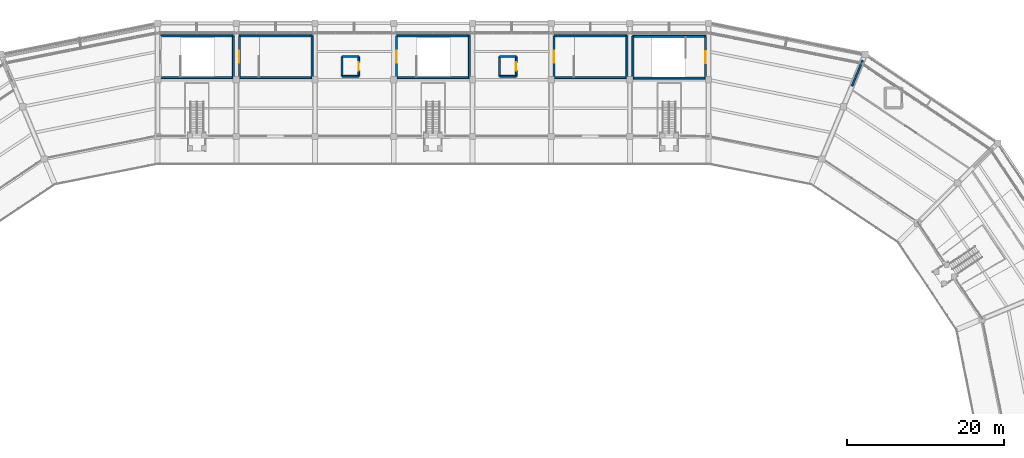
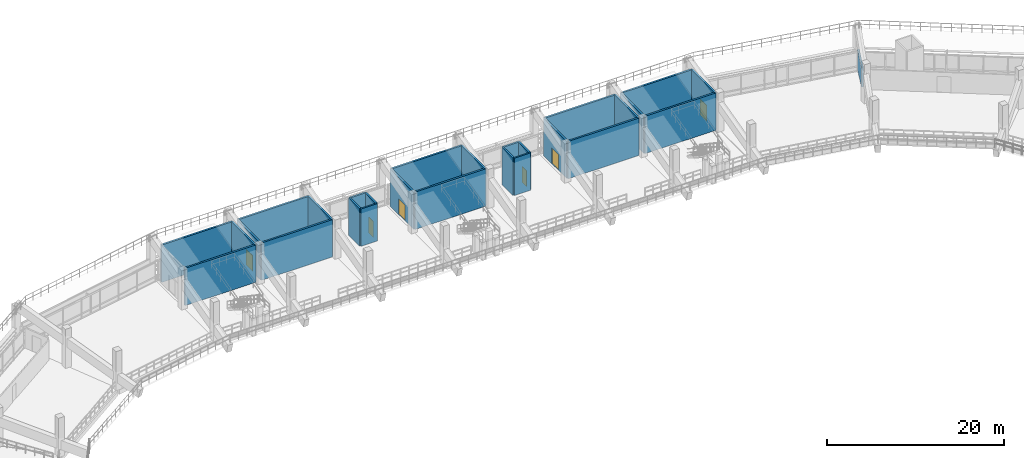
# One storey, part 67 of 96: 28 walls, 6 doors, 6 openings.
"""IFC4 building model written with IfcOpenShell, lengths in metres."""

from ifc_helpers import new_model, si_unit, direction, frame, frame_2d, origin, place, context, subcontext, project, spatial, rectangle, extrude, material, layer, layer_set, type_object, element, fill, save


model = new_model("IFC4")

# Units and contexts
model_context = context("Model", 3, precision=1e-05, world=origin(), true_north=direction((0.0, 1.0)))
body_context = subcontext(model_context, "Body", "Model", "MODEL_VIEW")
ifc_project = project(units=[si_unit("LENGTHUNIT", "METRE"), si_unit("AREAUNIT", "SQUARE_METRE"), si_unit("VOLUMEUNIT", "CUBIC_METRE"), si_unit("PLANEANGLEUNIT", "RADIAN"), si_unit("MASSUNIT", "GRAM", prefix="KILO")], contexts=[model_context])

# Site, building, storey
site_placement = place(None, origin())
site = spatial("IfcSite", under=ifc_project, at=site_placement, CompositionType="ELEMENT")
building_placement = place(site_placement, origin())
building = spatial("IfcBuilding", under=site, at=building_placement, Name="Candeia Ridge Stadium", CompositionType="ELEMENT")
storey_placement = place(building_placement, frame((0.0, 0.0, 21.60009765625)))
storey = spatial("IfcBuildingStorey", under=building, at=storey_placement, Name="L04", CompositionType="ELEMENT", Elevation=21.60009765625)

# Walls
ifc_material_1 = material(Name="Concrete C40/50", Category="concrete")
ifc_layer_1 = layer(ifc_material_1, 0.25, Name="Concrete C40/50", Category="concrete")
ifc_layer_set_1 = layer_set([ifc_layer_1], Name="Concrete C40/50")
wall_type_1 = type_object("IfcWallType", Name="Core Shear Wall Concrete 250", PredefinedType="SHEAR", material=ifc_layer_set_1)
wall_1_placement = place(storey_placement, frame((71.37548828125, 140.075439453125, 0.0), z_axis=(0.0, 0.0, 1.0), x_axis=(1.0, 0.0, 0.0)))
element("IfcWall", 1, at=wall_1_placement, inside=storey, type_object=wall_type_1, Name="Core C01 left shear wall L04", PredefinedType="SHEAR", context=body_context, shape_type="SweptSolid", body=[
    extrude(rectangle(XDim=9.2490234375, YDim=0.25, at=frame_2d((4.62451171875, 0.0))), origin(), (0.0, 0.0, 1.0), 5.14990234375),
])
wall_2_placement = place(storey_placement, frame((80.62451171875, 140.075439453125, 0.0), z_axis=(0.0, 0.0, 1.0), x_axis=(0.0, 1.0, 0.0)))
element("IfcWall", 2, at=wall_2_placement, inside=storey, type_object=wall_type_1, Name="Core C01 far shear wall L04", PredefinedType="SHEAR", context=body_context, shape_type="SweptSolid", body=[
    extrude(rectangle(XDim=5.299072265625, YDim=0.25, at=frame_2d((2.6494140625, 0.0))), origin(), (0.0, 0.0, 1.0), 5.14990234375),
])
for number, where, z_axis, x_axis, name in (
    (3, (80.62451171875, 145.37451171875, 0.0), (0.0, 0.0, 1.0), (-1.0, 0.0, 0.0), "Core C01 right shear wall L04"),
    (4, (140.62451171875, 145.32470703125, 0.0), (0.0, 0.0, 1.0), (-1.0, 0.0, 0.0), "Core C04 left shear wall L04"),
):
    element("IfcWall", number, at=place(storey_placement, frame(where, z_axis=z_axis, x_axis=x_axis)), inside=storey, type_object=wall_type_1, Name=name, PredefinedType="SHEAR", context=body_context, shape_type="SweptSolid", body=[
        extrude(rectangle(XDim=9.2490234375, YDim=0.25, at=frame_2d((4.62451171875, 0.0))), origin(), (0.0, 0.0, 1.0), 5.14990234375),
    ])
wall_3_placement = place(storey_placement, frame((131.37548828125, 145.32470703125, 0.0), z_axis=(0.0, 0.0, 1.0), x_axis=(0.0, -1.0, 0.0)))
element("IfcWall", 5, at=wall_3_placement, inside=storey, type_object=wall_type_1, Name="Core C04 far shear wall L04", PredefinedType="SHEAR", context=body_context, shape_type="SweptSolid", body=[
    extrude(rectangle(XDim=5.29931640625, YDim=0.25, at=frame_2d((2.649658203125, 0.0))), origin(), (0.0, 0.0, 1.0), 5.14990234375),
])
wall_4_placement = place(storey_placement, frame((131.37548828125, 140.025390625, 0.0), z_axis=(0.0, 0.0, 1.0), x_axis=(1.0, 0.0, 0.0)))
element("IfcWall", 6, at=wall_4_placement, inside=storey, type_object=wall_type_1, Name="Core C04 right shear wall L04", PredefinedType="SHEAR", context=body_context, shape_type="SweptSolid", body=[
    extrude(rectangle(XDim=9.2490234375, YDim=0.25, at=frame_2d((4.62451171875, 0.0))), origin(), (0.0, 0.0, 1.0), 5.14990234375),
])

# Wall, opening, door
wall_5_placement = place(storey_placement, frame((140.62451171875, 140.025390625, 0.0), z_axis=(0.0, 0.0, 1.0), x_axis=(0.0, 1.0, 0.0)))
wall_5 = element("IfcWall", 7, at=wall_5_placement, inside=storey, type_object=wall_type_1, Name="Core C04 near shear wall L04", PredefinedType="SHEAR", context=body_context, shape_type="SweptSolid", body=[
    extrude(rectangle(XDim=5.29931640625, YDim=0.25, at=frame_2d((2.649658203125, 0.0))), origin(), (0.0, 0.0, 1.0), 5.14990234375),
])
opening_1_placement = place(wall_5_placement, frame((1.899658203125, 0.0, 0.0)))
opening_1 = element("IfcOpeningElement", 8, at=opening_1_placement, cuts=wall_5, Name="Opening FD01", PredefinedType="OPENING", context=body_context, shape_type="SweptSolid", body=[
    extrude(rectangle(XDim=1.5, YDim=2.199951171875, at=frame_2d((0.75, 1.10009765625))), frame((0.0, 0.135009765625, 0.0), z_axis=(0.0, -1.0, 0.0), x_axis=(1.0, 0.0, 0.0)), (0.0, 0.0, 1.0), 0.27001953125),
])
ifc_material_2 = material(Name="Galvanized Fire-Rated Steel", Category="steel")
door_type_1 = type_object("IfcDoorType", Name="Exit Stair Core Fire Door 1500x2200", OperationType="NOTDEFINED", PredefinedType="DOOR", material=ifc_material_2)
door_1_placement = place(opening_1_placement, origin())
door_1 = element("IfcDoor", 9, at=door_1_placement, inside=storey, type_object=door_type_1, Name="Exit stair fire door SD-ST04-L04", OperationType="DOUBLE_DOOR_SINGLE_SWING", OverallHeight=2.199951171875, OverallWidth=1.5, PredefinedType="DOOR", context=body_context, shape_type="SweptSolid", body=[
    extrude(rectangle(XDim=1.5, YDim=2.199951171875, at=frame_2d((0.75, 1.10009765625))), frame((0.0, 0.02490234375, 0.0), z_axis=(0.0, -1.0, 0.0), x_axis=(1.0, 0.0, 0.0)), (0.0, 0.0, 1.0), 0.050048828125),
])
fill(opening_1, door_1)

# Walls
wall_6_placement = place(storey_placement, frame((81.37548828125, 140.075439453125, 0.0), z_axis=(0.0, 0.0, 1.0), x_axis=(1.0, 0.0, 0.0)))
element("IfcWall", 10, at=wall_6_placement, inside=storey, type_object=wall_type_1, Name="Core C09 left shear wall L04", PredefinedType="SHEAR", context=body_context, shape_type="SweptSolid", body=[
    extrude(rectangle(XDim=9.2490234375, YDim=0.25, at=frame_2d((4.62451171875, 0.0))), origin(), (0.0, 0.0, 1.0), 5.14990234375),
])
wall_7_placement = place(storey_placement, frame((90.62451171875, 140.075439453125, 0.0), z_axis=(0.0, 0.0, 1.0), x_axis=(0.0, 1.0, 0.0)))
element("IfcWall", 11, at=wall_7_placement, inside=storey, type_object=wall_type_1, Name="Core C09 far shear wall L04", PredefinedType="SHEAR", context=body_context, shape_type="SweptSolid", body=[
    extrude(rectangle(XDim=5.299072265625, YDim=0.25, at=frame_2d((2.6494140625, 0.0))), origin(), (0.0, 0.0, 1.0), 5.14990234375),
])
wall_8_placement = place(storey_placement, frame((90.62451171875, 145.37451171875, 0.0), z_axis=(0.0, 0.0, 1.0), x_axis=(-1.0, 0.0, 0.0)))
element("IfcWall", 12, at=wall_8_placement, inside=storey, type_object=wall_type_1, Name="Core C09 right shear wall L04", PredefinedType="SHEAR", context=body_context, shape_type="SweptSolid", body=[
    extrude(rectangle(XDim=9.2490234375, YDim=0.25, at=frame_2d((4.62451171875, 0.0))), origin(), (0.0, 0.0, 1.0), 5.14990234375),
])

# Wall, opening, door
wall_9_placement = place(storey_placement, frame((81.37548828125, 145.37451171875, 0.0), z_axis=(0.0, 0.0, 1.0), x_axis=(0.0, -1.0, 0.0)))
wall_9 = element("IfcWall", 13, at=wall_9_placement, inside=storey, type_object=wall_type_1, Name="Core C09 near shear wall L04", PredefinedType="SHEAR", context=body_context, shape_type="SweptSolid", body=[
    extrude(rectangle(XDim=5.299072265625, YDim=0.25, at=frame_2d((2.6494140625, 0.0))), origin(), (0.0, 0.0, 1.0), 5.14990234375),
])
opening_2_placement = place(wall_9_placement, frame((1.899658203125, 0.0, 0.0)))
opening_2 = element("IfcOpeningElement", 14, at=opening_2_placement, cuts=wall_9, Name="Opening FD01", PredefinedType="OPENING", context=body_context, shape_type="SweptSolid", body=[
    extrude(rectangle(XDim=1.5, YDim=2.199951171875, at=frame_2d((0.75, 1.10009765625))), frame((0.0, 0.135009765625, 0.0), z_axis=(0.0, -1.0, 0.0), x_axis=(1.0, 0.0, 0.0)), (0.0, 0.0, 1.0), 0.27001953125),
])
door_2_placement = place(opening_2_placement, origin())
door_2 = element("IfcDoor", 15, at=door_2_placement, inside=storey, type_object=door_type_1, Name="Exit stair fire door SD-ST09-L04", OperationType="DOUBLE_DOOR_SINGLE_SWING", OverallHeight=2.199951171875, OverallWidth=1.5, PredefinedType="DOOR", context=body_context, shape_type="SweptSolid", body=[
    extrude(rectangle(XDim=1.5, YDim=2.199951171875, at=frame_2d((0.75, 1.10009765625))), frame((0.0, 0.02490234375, 0.0), z_axis=(0.0, -1.0, 0.0), x_axis=(1.0, 0.0, 0.0)), (0.0, 0.0, 1.0), 0.050048828125),
])
fill(opening_2, door_2)

# Walls
wall_10_placement = place(storey_placement, frame((121.37548828125, 140.075439453125, 0.0), z_axis=(0.0, 0.0, 1.0), x_axis=(1.0, 0.0, 0.0)))
element("IfcWall", 16, at=wall_10_placement, inside=storey, type_object=wall_type_1, Name="Core C10 left shear wall L04", PredefinedType="SHEAR", context=body_context, shape_type="SweptSolid", body=[
    extrude(rectangle(XDim=9.2490234375, YDim=0.25, at=frame_2d((4.62451171875, 0.0))), origin(), (0.0, 0.0, 1.0), 5.14990234375),
])
wall_11_placement = place(storey_placement, frame((130.62451171875, 140.075439453125, 0.0), z_axis=(0.0, 0.0, 1.0), x_axis=(0.0, 1.0, 0.0)))
element("IfcWall", 17, at=wall_11_placement, inside=storey, type_object=wall_type_1, Name="Core C10 far shear wall L04", PredefinedType="SHEAR", context=body_context, shape_type="SweptSolid", body=[
    extrude(rectangle(XDim=5.299072265625, YDim=0.25, at=frame_2d((2.6494140625, 0.0))), origin(), (0.0, 0.0, 1.0), 5.14990234375),
])
wall_12_placement = place(storey_placement, frame((130.62451171875, 145.37451171875, 0.0), z_axis=(0.0, 0.0, 1.0), x_axis=(-1.0, 0.0, 0.0)))
element("IfcWall", 18, at=wall_12_placement, inside=storey, type_object=wall_type_1, Name="Core C10 right shear wall L04", PredefinedType="SHEAR", context=body_context, shape_type="SweptSolid", body=[
    extrude(rectangle(XDim=9.2490234375, YDim=0.25, at=frame_2d((4.62451171875, 0.0))), origin(), (0.0, 0.0, 1.0), 5.14990234375),
])

# Wall, opening, door
wall_13_placement = place(storey_placement, frame((121.37548828125, 145.37451171875, 0.0), z_axis=(0.0, 0.0, 1.0), x_axis=(0.0, -1.0, 0.0)))
wall_13 = element("IfcWall", 19, at=wall_13_placement, inside=storey, type_object=wall_type_1, Name="Core C10 near shear wall L04", PredefinedType="SHEAR", context=body_context, shape_type="SweptSolid", body=[
    extrude(rectangle(XDim=5.299072265625, YDim=0.25, at=frame_2d((2.6494140625, 0.0))), origin(), (0.0, 0.0, 1.0), 5.14990234375),
])
opening_3_placement = place(wall_13_placement, frame((1.899658203125, 0.0, 0.0)))
opening_3 = element("IfcOpeningElement", 20, at=opening_3_placement, cuts=wall_13, Name="Opening FD01", PredefinedType="OPENING", context=body_context, shape_type="SweptSolid", body=[
    extrude(rectangle(XDim=1.5, YDim=2.199951171875, at=frame_2d((0.75, 1.10009765625))), frame((0.0, 0.135009765625, 0.0), z_axis=(0.0, -1.0, 0.0), x_axis=(1.0, 0.0, 0.0)), (0.0, 0.0, 1.0), 0.27001953125),
])
door_3_placement = place(opening_3_placement, origin())
door_3 = element("IfcDoor", 21, at=door_3_placement, inside=storey, type_object=door_type_1, Name="Exit stair fire door SD-ST10-L04", OperationType="DOUBLE_DOOR_SINGLE_SWING", OverallHeight=2.199951171875, OverallWidth=1.5, PredefinedType="DOOR", context=body_context, shape_type="SweptSolid", body=[
    extrude(rectangle(XDim=1.5, YDim=2.199951171875, at=frame_2d((0.75, 1.10009765625))), frame((0.0, 0.02490234375, 0.0), z_axis=(0.0, -1.0, 0.0), x_axis=(1.0, 0.0, 0.0)), (0.0, 0.0, 1.0), 0.050048828125),
])
fill(opening_3, door_3)

# Walls
wall_14_placement = place(storey_placement, frame((101.37548828125, 140.075439453125, 0.0), z_axis=(0.0, 0.0, 1.0), x_axis=(1.0, 0.0, 0.0)))
element("IfcWall", 22, at=wall_14_placement, inside=storey, type_object=wall_type_1, Name="Core C17 left shear wall L04", PredefinedType="SHEAR", context=body_context, shape_type="SweptSolid", body=[
    extrude(rectangle(XDim=9.2490234375, YDim=0.25, at=frame_2d((4.62451171875, 0.0))), origin(), (0.0, 0.0, 1.0), 5.14990234375),
])
wall_15_placement = place(storey_placement, frame((110.62451171875, 140.075439453125, 0.0), z_axis=(0.0, 0.0, 1.0), x_axis=(0.0, 1.0, 0.0)))
element("IfcWall", 23, at=wall_15_placement, inside=storey, type_object=wall_type_1, Name="Core C17 far shear wall L04", PredefinedType="SHEAR", context=body_context, shape_type="SweptSolid", body=[
    extrude(rectangle(XDim=5.299072265625, YDim=0.25, at=frame_2d((2.6494140625, 0.0))), origin(), (0.0, 0.0, 1.0), 5.14990234375),
])
wall_16_placement = place(storey_placement, frame((110.62451171875, 145.37451171875, 0.0), z_axis=(0.0, 0.0, 1.0), x_axis=(-1.0, 0.0, 0.0)))
element("IfcWall", 24, at=wall_16_placement, inside=storey, type_object=wall_type_1, Name="Core C17 right shear wall L04", PredefinedType="SHEAR", context=body_context, shape_type="SweptSolid", body=[
    extrude(rectangle(XDim=9.2490234375, YDim=0.25, at=frame_2d((4.62451171875, 0.0))), origin(), (0.0, 0.0, 1.0), 5.14990234375),
])

# Wall, opening, door
wall_17_placement = place(storey_placement, frame((101.37548828125, 145.37451171875, 0.0), z_axis=(0.0, 0.0, 1.0), x_axis=(0.0, -1.0, 0.0)))
wall_17 = element("IfcWall", 25, at=wall_17_placement, inside=storey, type_object=wall_type_1, Name="Core C17 near shear wall L04", PredefinedType="SHEAR", context=body_context, shape_type="SweptSolid", body=[
    extrude(rectangle(XDim=5.299072265625, YDim=0.25, at=frame_2d((2.6494140625, 0.0))), origin(), (0.0, 0.0, 1.0), 5.14990234375),
])
opening_4_placement = place(wall_17_placement, frame((1.899658203125, 0.0, 0.0)))
opening_4 = element("IfcOpeningElement", 26, at=opening_4_placement, cuts=wall_17, Name="Opening FD01", PredefinedType="OPENING", context=body_context, shape_type="SweptSolid", body=[
    extrude(rectangle(XDim=1.5, YDim=2.199951171875, at=frame_2d((0.75, 1.10009765625))), frame((0.0, 0.135009765625, 0.0), z_axis=(0.0, -1.0, 0.0), x_axis=(1.0, 0.0, 0.0)), (0.0, 0.0, 1.0), 0.27001953125),
])
door_4_placement = place(opening_4_placement, origin())
door_4 = element("IfcDoor", 27, at=door_4_placement, inside=storey, type_object=door_type_1, Name="Exit stair fire door SD-ST17-L04", OperationType="DOUBLE_DOOR_SINGLE_SWING", OverallHeight=2.199951171875, OverallWidth=1.5, PredefinedType="DOOR", context=body_context, shape_type="SweptSolid", body=[
    extrude(rectangle(XDim=1.5, YDim=2.199951171875, at=frame_2d((0.75, 1.10009765625))), frame((0.0, 0.02490234375, 0.0), z_axis=(0.0, -1.0, 0.0), x_axis=(1.0, 0.0, 0.0)), (0.0, 0.0, 1.0), 0.050048828125),
])
fill(opening_4, door_4)

# Walls
ifc_material_3 = material(Name="Moisture-Resistant Masonry & Tile", Category="masonry")
ifc_layer_2 = layer(ifc_material_3, 0.22998046875, Name="Moisture-Resistant Masonry & Tile", Category="masonry")
ifc_layer_set_2 = layer_set([ifc_layer_2], Name="Moisture-Resistant Masonry & Tile")
wall_type_2 = type_object("IfcWallType", Name="Dressing Suite Wet-Wall Chase 230", PredefinedType="PLUMBINGWALL", material=ifc_layer_set_2)
wall_18_placement = place(storey_placement, frame((159.23486328125, 139.022705078125, 0.0), z_axis=(0.0, 0.0, 1.0), x_axis=(0.382643374349, 0.923896124067, 0.0)))
element("IfcWall", 28, at=wall_18_placement, inside=storey, type_object=wall_type_2, Name="Demising partition PT-L04-0675", PredefinedType="PLUMBINGWALL", context=body_context, shape_type="SweptSolid", body=[
    extrude(rectangle(XDim=3.500244140625, YDim=0.22998046875, at=frame_2d((1.75, 0.0))), origin(), (0.0, 0.0, 1.0), 2.772216796875),
])
ifc_layer_3 = layer(ifc_material_1, 0.219970703125, Name="Concrete C40/50", Category="concrete")
ifc_layer_set_3 = layer_set([ifc_layer_3], Name="Concrete C40/50")
wall_type_3 = type_object("IfcWallType", Name="Lift & Riser Shaft Wall 220", PredefinedType="SHEAR", material=ifc_layer_set_3)
wall_19_placement = place(storey_placement, frame((94.43994140625, 140.239990234375, 0.0), z_axis=(0.0, 0.0, 1.0), x_axis=(1.0, 0.0, 0.0)))
element("IfcWall", 29, at=wall_19_placement, inside=storey, type_object=wall_type_3, Name="Lift PL1 shaft wall L04 south", PredefinedType="SHEAR", context=body_context, shape_type="SweptSolid", body=[
    extrude(rectangle(XDim=2.1201171875, YDim=0.219970703125, at=frame_2d((1.06005859375, 0.0))), origin(), (0.0, 0.0, 1.0), 5.14990234375),
])

# Wall, opening, door
wall_20_placement = place(storey_placement, frame((96.56005859375, 140.239990234375, 0.0), z_axis=(0.0, 0.0, 1.0), x_axis=(0.0, 1.0, 0.0)))
wall_20 = element("IfcWall", 30, at=wall_20_placement, inside=storey, type_object=wall_type_3, Name="Lift PL1 shaft wall L04 east", PredefinedType="SHEAR", context=body_context, shape_type="SweptSolid", body=[
    extrude(rectangle(XDim=2.52001953125, YDim=0.219970703125, at=frame_2d((1.260009765625, 0.0))), origin(), (0.0, 0.0, 1.0), 5.14990234375),
])
opening_5_placement = place(wall_20_placement, frame((0.735107421875, 0.0, 0.0)))
opening_5 = element("IfcOpeningElement", 31, at=opening_5_placement, cuts=wall_20, Name="Opening LD02", PredefinedType="OPENING", context=body_context, shape_type="SweptSolid", body=[
    extrude(rectangle(XDim=1.050048828125, YDim=2.14990234375, at=frame_2d((0.52490234375, 1.074951171875))), frame((0.0, 0.119873046875, 0.0), z_axis=(0.0, -1.0, 0.0), x_axis=(1.0, 0.0, 0.0)), (0.0, 0.0, 1.0), 0.239990234375),
])
ifc_material_4 = material(Name="Brushed Stainless Steel", Category="steel")
door_type_2 = type_object("IfcDoorType", Name="Passenger Lift Landing Door 1050x2150", OperationType="NOTDEFINED", PredefinedType="DOOR", material=ifc_material_4)
door_5_placement = place(opening_5_placement, origin())
door_5 = element("IfcDoor", 32, at=door_5_placement, inside=storey, type_object=door_type_2, Name="Lift landing sliding door LD-PL1-L04", OperationType="DOUBLE_DOOR_SLIDING", OverallHeight=2.14990234375, OverallWidth=1.050048828125, PredefinedType="DOOR", context=body_context, shape_type="SweptSolid", body=[
    extrude(rectangle(XDim=1.050048828125, YDim=2.14990234375, at=frame_2d((0.52490234375, 1.074951171875))), frame((0.0, 0.02490234375, 0.0), z_axis=(0.0, -1.0, 0.0), x_axis=(1.0, 0.0, 0.0)), (0.0, 0.0, 1.0), 0.050048828125),
])
fill(opening_5, door_5)

# Walls
wall_21_placement = place(storey_placement, frame((96.56005859375, 142.760009765625, 0.0), z_axis=(0.0, 0.0, 1.0), x_axis=(-1.0, 0.0, 0.0)))
element("IfcWall", 33, at=wall_21_placement, inside=storey, type_object=wall_type_3, Name="Lift PL1 shaft wall L04 north", PredefinedType="SHEAR", context=body_context, shape_type="SweptSolid", body=[
    extrude(rectangle(XDim=2.1201171875, YDim=0.219970703125, at=frame_2d((1.06005859375, 0.0))), origin(), (0.0, 0.0, 1.0), 5.14990234375),
])
wall_22_placement = place(storey_placement, frame((94.43994140625, 142.760009765625, 0.0), z_axis=(0.0, 0.0, 1.0), x_axis=(0.0, -1.0, 0.0)))
element("IfcWall", 34, at=wall_22_placement, inside=storey, type_object=wall_type_3, Name="Lift PL1 shaft wall L04 west", PredefinedType="SHEAR", context=body_context, shape_type="SweptSolid", body=[
    extrude(rectangle(XDim=2.52001953125, YDim=0.219970703125, at=frame_2d((1.260009765625, 0.0))), origin(), (0.0, 0.0, 1.0), 5.14990234375),
])
wall_23_placement = place(storey_placement, frame((114.43994140625, 140.239990234375, 0.0), z_axis=(0.0, 0.0, 1.0), x_axis=(1.0, 0.0, 0.0)))
element("IfcWall", 35, at=wall_23_placement, inside=storey, type_object=wall_type_3, Name="Lift PL2 shaft wall L04 south", PredefinedType="SHEAR", context=body_context, shape_type="SweptSolid", body=[
    extrude(rectangle(XDim=2.1201171875, YDim=0.219970703125, at=frame_2d((1.06005859375, 0.0))), origin(), (0.0, 0.0, 1.0), 5.14990234375),
])

# Wall, opening, door
wall_24_placement = place(storey_placement, frame((116.56005859375, 140.239990234375, 0.0), z_axis=(0.0, 0.0, 1.0), x_axis=(0.0, 1.0, 0.0)))
wall_24 = element("IfcWall", 36, at=wall_24_placement, inside=storey, type_object=wall_type_3, Name="Lift PL2 shaft wall L04 east", PredefinedType="SHEAR", context=body_context, shape_type="SweptSolid", body=[
    extrude(rectangle(XDim=2.52001953125, YDim=0.219970703125, at=frame_2d((1.260009765625, 0.0))), origin(), (0.0, 0.0, 1.0), 5.14990234375),
])
opening_6_placement = place(wall_24_placement, frame((0.735107421875, 0.0, 0.0)))
opening_6 = element("IfcOpeningElement", 37, at=opening_6_placement, cuts=wall_24, Name="Opening LD02", PredefinedType="OPENING", context=body_context, shape_type="SweptSolid", body=[
    extrude(rectangle(XDim=1.050048828125, YDim=2.14990234375, at=frame_2d((0.52490234375, 1.074951171875))), frame((0.0, 0.119873046875, 0.0), z_axis=(0.0, -1.0, 0.0), x_axis=(1.0, 0.0, 0.0)), (0.0, 0.0, 1.0), 0.239990234375),
])
door_6_placement = place(opening_6_placement, origin())
door_6 = element("IfcDoor", 38, at=door_6_placement, inside=storey, type_object=door_type_2, Name="Lift landing sliding door LD-PL2-L04", OperationType="DOUBLE_DOOR_SLIDING", OverallHeight=2.14990234375, OverallWidth=1.050048828125, PredefinedType="DOOR", context=body_context, shape_type="SweptSolid", body=[
    extrude(rectangle(XDim=1.050048828125, YDim=2.14990234375, at=frame_2d((0.52490234375, 1.074951171875))), frame((0.0, 0.02490234375, 0.0), z_axis=(0.0, -1.0, 0.0), x_axis=(1.0, 0.0, 0.0)), (0.0, 0.0, 1.0), 0.050048828125),
])
fill(opening_6, door_6)

# Walls
wall_25_placement = place(storey_placement, frame((116.56005859375, 142.760009765625, 0.0), z_axis=(0.0, 0.0, 1.0), x_axis=(-1.0, 0.0, 0.0)))
element("IfcWall", 39, at=wall_25_placement, inside=storey, type_object=wall_type_3, Name="Lift PL2 shaft wall L04 north", PredefinedType="SHEAR", context=body_context, shape_type="SweptSolid", body=[
    extrude(rectangle(XDim=2.1201171875, YDim=0.219970703125, at=frame_2d((1.06005859375, 0.0))), origin(), (0.0, 0.0, 1.0), 5.14990234375),
])
wall_26_placement = place(storey_placement, frame((114.43994140625, 142.760009765625, 0.0), z_axis=(0.0, 0.0, 1.0), x_axis=(0.0, -1.0, 0.0)))
element("IfcWall", 40, at=wall_26_placement, inside=storey, type_object=wall_type_3, Name="Lift PL2 shaft wall L04 west", PredefinedType="SHEAR", context=body_context, shape_type="SweptSolid", body=[
    extrude(rectangle(XDim=2.52001953125, YDim=0.219970703125, at=frame_2d((1.260009765625, 0.0))), origin(), (0.0, 0.0, 1.0), 5.14990234375),
])

save(model, "model.ifc")
